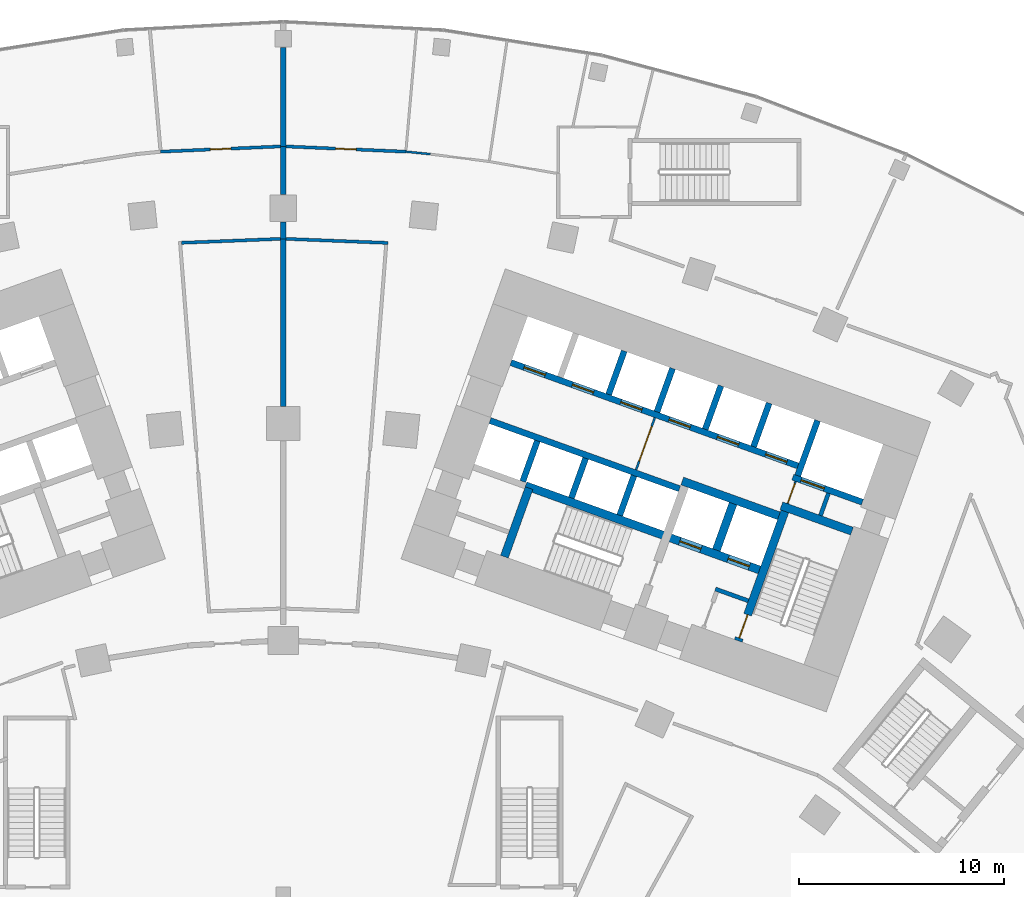
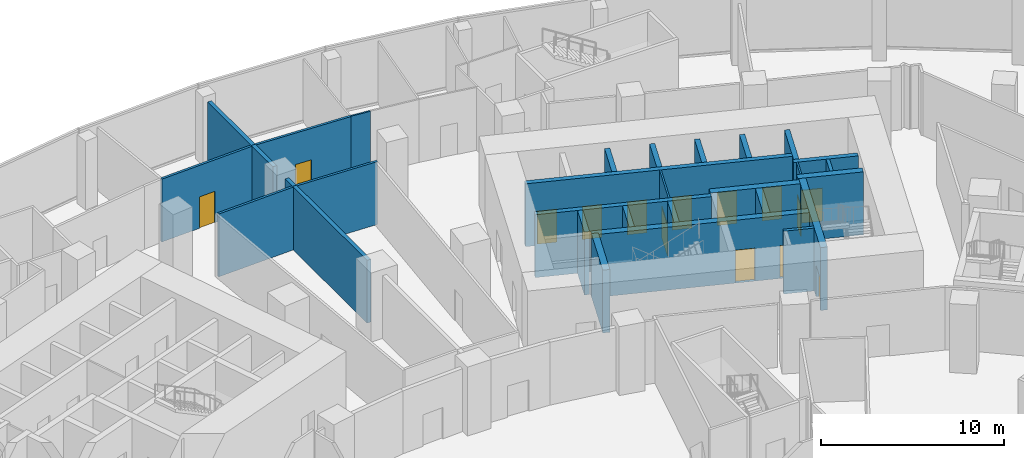
# One storey, part 27 of 39: 30 walls, 14 doors, 14 openings.
"""IFC4 building model written with IfcOpenShell, lengths in metres."""

from ifc_helpers import new_model, si_unit, direction, frame, frame_2d, origin, place, context, subcontext, project, spatial, rectangle, extrude, material, layer, layer_set, type_object, element, fill, save


model = new_model("IFC4")

# Units and contexts
model_context = context("Model", 3, precision=1e-05, world=origin(), true_north=direction((0.0, 1.0)))
body_context = subcontext(model_context, "Body", "Model", "MODEL_VIEW")
ifc_project = project(units=[si_unit("LENGTHUNIT", "METRE"), si_unit("AREAUNIT", "SQUARE_METRE"), si_unit("VOLUMEUNIT", "CUBIC_METRE"), si_unit("PLANEANGLEUNIT", "RADIAN"), si_unit("MASSUNIT", "GRAM", prefix="KILO")], contexts=[model_context])

# Site, building, storey
site_placement = place(None, origin())
site = spatial("IfcSite", under=ifc_project, at=site_placement, CompositionType="ELEMENT")
building_placement = place(site_placement, origin())
building = spatial("IfcBuilding", under=site, at=building_placement, Name="Stone Belt Terrace Tower", CompositionType="ELEMENT")
storey_placement = place(building_placement, frame((0.0, 0.0, 16.199951171875)))
storey = spatial("IfcBuildingStorey", under=building, at=storey_placement, Name="L03", CompositionType="ELEMENT", Elevation=16.199951171875)

# Walls
ifc_material_1 = material(Name="Concrete B30", Category="concrete")
ifc_layer_1 = layer(ifc_material_1, 0.25)
ifc_layer_set_1 = layer_set([ifc_layer_1], Name="Compartment wall 250")
wall_type_1 = type_object("IfcWallType", Name="Compartment wall 250", PredefinedType="SOLIDWALL", material=ifc_layer_set_1)
wall_1_placement = place(storey_placement, frame((0.0, 55.844970703125, 0.0), z_axis=(0.0, 0.0, 1.0), x_axis=(0.0, 1.0, 0.0)))
element("IfcWall", 1, at=wall_1_placement, inside=storey, type_object=wall_type_1, Name="Compartment wall L03 8", PredefinedType="SOLIDWALL", context=body_context, shape_type="SweptSolid", body=[
    extrude(rectangle(XDim=8.155029296875, YDim=0.25, at=frame_2d((4.07763671875, 0.0))), origin(), (0.0, 0.0, 1.0), 4.199951171875),
])
wall_2_placement = place(storey_placement, frame((0.0, 68.5, 0.0), z_axis=(0.0, 0.0, 1.0), x_axis=(0.0, 1.0, 0.0)))
element("IfcWall", 2, at=wall_2_placement, inside=storey, type_object=wall_type_1, Name="Compartment wall L03 10", PredefinedType="SOLIDWALL", context=body_context, shape_type="SweptSolid", body=[
    extrude(rectangle(XDim=4.807861328125, YDim=0.25, at=frame_2d((2.40380859375, 0.0))), origin(), (0.0, 0.0, 1.0), 4.199951171875),
])

# Wall, opening, door
ifc_material_2 = material(Name="Plasterboard partition")
ifc_layer_2 = layer(ifc_material_2, 0.10009765625)
ifc_layer_set_2 = layer_set([ifc_layer_2], Name="Core partition 100")
wall_type_2 = type_object("IfcWallType", Name="Core partition 100", PredefinedType="PARTITIONING", material=ifc_layer_set_2)
wall_3_placement = place(storey_placement, frame((24.555908203125, 51.10400390625, 0.0), z_axis=(0.0, 0.0, 1.0), x_axis=(0.338621735342, 0.94092258999, 0.0)))
wall_3 = element("IfcWall", 3, at=wall_3_placement, inside=storey, type_object=wall_type_2, Name="Core B wall", PredefinedType="PARTITIONING", context=body_context, shape_type="SweptSolid", body=[
    extrude(rectangle(XDim=1.14990234375, YDim=0.10009765625, at=frame_2d((0.574951171875, 0.0))), origin(), (0.0, 0.0, 1.0), 4.199951171875),
])
opening_1_placement = place(wall_3_placement, frame((0.050048828125, 0.0, 0.0)))
opening_1 = element("IfcOpeningElement", 4, at=opening_1_placement, cuts=wall_3, Name="Opening L03-C13", PredefinedType="OPENING", context=body_context, shape_type="SweptSolid", body=[
    extrude(rectangle(XDim=1.0, YDim=2.10009765625, at=frame_2d((0.5, 1.050048828125))), frame((0.0, 0.06005859375, 0.0), z_axis=(0.0, -1.0, 0.0), x_axis=(1.0, 0.0, 0.0)), (0.0, 0.0, 1.0), 0.1201171875),
])
ifc_material_3 = material(Name="Timber door leaf", Category="wood")
door_type_1 = type_object("IfcDoorType", Name="Core room door 1000", OperationType="SINGLE_SWING_LEFT", PredefinedType="DOOR", material=ifc_material_3)
door_1_placement = place(opening_1_placement, origin())
door_1 = element("IfcDoor", 5, at=door_1_placement, inside=storey, type_object=door_type_1, Name="Service lift lobby door core B", OperationType="SINGLE_SWING_LEFT", OverallHeight=2.10009765625, OverallWidth=1.0, PredefinedType="DOOR", context=body_context, shape_type="SweptSolid", body=[
    extrude(rectangle(XDim=1.0, YDim=2.10009765625, at=frame_2d((0.5, 1.050048828125))), frame((0.0, 0.02490234375, 0.0), z_axis=(0.0, -1.0, 0.0), x_axis=(1.0, 0.0, 0.0)), (0.0, 0.0, 1.0), 0.050048828125),
])
fill(opening_1, door_1)

wall_4_placement = place(storey_placement, frame((17.17724609375, 52.749755859375, 0.0), z_axis=(0.0, 0.0, 1.0), x_axis=(0.338546555931, 0.940949642365, 0.0)))
wall_4 = element("IfcWall", 6, at=wall_4_placement, inside=storey, type_object=wall_type_2, Name="Core B wall", PredefinedType="PARTITIONING", context=body_context, shape_type="SweptSolid", body=[
    extrude(rectangle(XDim=2.699951171875, YDim=0.10009765625, at=frame_2d((1.35009765625, 0.0))), origin(), (0.0, 0.0, 1.0), 4.199951171875),
])
opening_2_placement = place(wall_4_placement, frame((0.449951171875, 0.0, 0.0)))
opening_2 = element("IfcOpeningElement", 7, at=opening_2_placement, cuts=wall_4, Name="Opening L03-C14", PredefinedType="OPENING", context=body_context, shape_type="SweptSolid", body=[
    extrude(rectangle(XDim=1.800048828125, YDim=2.10009765625, at=frame_2d((0.89990234375, 1.050048828125))), frame((0.0, 0.06005859375, 0.0), z_axis=(0.0, -1.0, 0.0), x_axis=(1.0, 0.0, 0.0)), (0.0, 0.0, 1.0), 0.1201171875),
])
ifc_material_4 = material(Name="Glazed aluminium door leaf", Category="aluminium")
door_type_2 = type_object("IfcDoorType", Name="Lift lobby entrance door 1800", OperationType="DOUBLE_DOOR_SINGLE_SWING", PredefinedType="DOOR", material=ifc_material_4)
door_2_placement = place(opening_2_placement, origin())
door_2 = element("IfcDoor", 8, at=door_2_placement, inside=storey, type_object=door_type_2, Name="Lift lobby double door core B", OperationType="DOUBLE_DOOR_SINGLE_SWING", OverallHeight=2.10009765625, OverallWidth=1.800048828125, PredefinedType="DOOR", context=body_context, shape_type="SweptSolid", body=[
    extrude(rectangle(XDim=1.800048828125, YDim=2.10009765625, at=frame_2d((0.89990234375, 1.050048828125))), frame((0.0, 0.02490234375, 0.0), z_axis=(0.0, -1.0, 0.0), x_axis=(1.0, 0.0, 0.0)), (0.0, 0.0, 1.0), 0.050048828125),
])
fill(opening_2, door_2)

# Walls
ifc_material_5 = material(Name="Concrete B80", Category="concrete")
ifc_layer_3 = layer(ifc_material_5, 0.39990234375)
ifc_layer_set_3 = layer_set([ifc_layer_3], Name="Fire-fighting lift shaft wall 400")
wall_type_3 = type_object("IfcWallType", Name="Fire-fighting lift shaft wall 400", PredefinedType="SHEAR", material=ifc_layer_set_3)
wall_5_placement = place(storey_placement, frame((24.130615234375, 50.512939453125, 0.0), z_axis=(0.0, 0.0, 1.0), x_axis=(-0.94091168377, 0.338652038744, 0.0)))
element("IfcWall", 9, at=wall_5_placement, inside=storey, type_object=wall_type_3, Name="Core B wall", PredefinedType="SHEAR", context=body_context, shape_type="SweptSolid", body=[
    extrude(rectangle(XDim=5.000244140625, YDim=0.39990234375, at=frame_2d((2.5, 0.0))), origin(), (0.0, 0.0, 1.0), 4.199951171875),
])
wall_6_placement = place(storey_placement, frame((21.0859375, 48.845458984375, 0.0), z_axis=(0.0, 0.0, 1.0), x_axis=(0.338629416206, 0.940919825745, 0.0)))
element("IfcWall", 10, at=wall_6_placement, inside=storey, type_object=wall_type_3, Name="Core B wall", PredefinedType="SHEAR", context=body_context, shape_type="SweptSolid", body=[
    extrude(rectangle(XDim=2.400146484375, YDim=0.39990234375, at=frame_2d((1.2001953125, 0.0))), origin(), (0.0, 0.0, 1.0), 4.199951171875),
])
ifc_material_6 = material(Name="Fire-resistant glazing in steel frame", Category="steel")
ifc_layer_4 = layer(ifc_material_6, 0.25)
ifc_layer_set_4 = layer_set([ifc_layer_4], Name="Glazed compartment fire screen 250")
wall_type_4 = type_object("IfcWallType", Name="Glazed compartment fire screen 250", PredefinedType="PARTITIONING", material=ifc_layer_set_4)
wall_7_placement = place(storey_placement, frame((0.0, 64.0, 0.0), z_axis=(0.0, 0.0, 1.0), x_axis=(0.0, 1.0, 0.0)))
element("IfcWall", 11, at=wall_7_placement, inside=storey, type_object=wall_type_4, Name="Compartment fire screen L03 9", PredefinedType="PARTITIONING", context=body_context, shape_type="SweptSolid", body=[
    extrude(rectangle(XDim=0.81884765625, YDim=0.25, at=frame_2d((0.409423828125, 0.0))), origin(), (0.0, 0.0, 1.0), 4.199951171875),
])
wall_8_placement = place(storey_placement, frame((0.0, 66.158935546875, 0.0), z_axis=(0.0, 0.0, 1.0), x_axis=(0.0, 1.0, 0.0)))
element("IfcWall", 12, at=wall_8_placement, inside=storey, type_object=wall_type_4, Name="Compartment fire screen L03 9", PredefinedType="PARTITIONING", context=body_context, shape_type="SweptSolid", body=[
    extrude(rectangle(XDim=2.341064453125, YDim=0.25, at=frame_2d((1.17041015625, 0.0))), origin(), (0.0, 0.0, 1.0), 4.199951171875),
])

# Wall, opening, door
ifc_layer_5 = layer(ifc_material_5, 0.300048828125)
ifc_layer_set_5 = layer_set([ifc_layer_5], Name="Lift shaft wall 300")
wall_type_5 = type_object("IfcWallType", Name="Lift shaft wall 300", PredefinedType="SHEAR", material=ifc_layer_set_5)
wall_9_placement = place(storey_placement, frame((28.195068359375, 51.17578125, 0.0), z_axis=(0.0, 0.0, 1.0), x_axis=(-0.940901243567, 0.338681044427, 0.0)))
wall_9 = element("IfcWall", 13, at=wall_9_placement, inside=storey, type_object=wall_type_5, Name="Core B wall", PredefinedType="SHEAR", context=body_context, shape_type="SweptSolid", body=[
    extrude(rectangle(XDim=3.599853515625, YDim=0.300048828125, at=frame_2d((1.7998046875, 0.0))), origin(), (0.0, 0.0, 1.0), 4.199951171875),
])
opening_3_placement = place(wall_9_placement, frame((1.969970703125, 0.0, 0.0)))
opening_3 = element("IfcOpeningElement", 14, at=opening_3_placement, cuts=wall_9, Name="Opening L03-LD18", PredefinedType="OPENING", context=body_context, shape_type="SweptSolid", body=[
    extrude(rectangle(XDim=1.199951171875, YDim=2.199951171875, at=frame_2d((0.60009765625, 1.10009765625))), frame((0.0, 0.159912109375, 0.0), z_axis=(0.0, -1.0, 0.0), x_axis=(1.0, 0.0, 0.0)), (0.0, 0.0, 1.0), 0.320068359375),
])
ifc_material_7 = material(Name="Stainless steel door leaf", Category="steel")
door_type_3 = type_object("IfcDoorType", Name="Landing door 1200", OperationType="SLIDING_TO_LEFT", PredefinedType="DOOR", material=ifc_material_7)
door_3_placement = place(opening_3_placement, origin())
door_3 = element("IfcDoor", 15, at=door_3_placement, inside=storey, type_object=door_type_3, Name="Landing door SV1 core B", OperationType="SLIDING_TO_LEFT", OverallHeight=2.199951171875, OverallWidth=1.199951171875, PredefinedType="DOOR", context=body_context, shape_type="SweptSolid", body=[
    extrude(rectangle(XDim=1.199951171875, YDim=2.199951171875, at=frame_2d((0.60009765625, 1.10009765625))), frame((0.0, 0.02490234375, 0.0), z_axis=(0.0, -1.0, 0.0), x_axis=(1.0, 0.0, 0.0)), (0.0, 0.0, 1.0), 0.050048828125),
])
fill(opening_3, door_3)

# Wall
wall_10_placement = place(storey_placement, frame((25.046875, 52.46826171875, 0.0), z_axis=(0.0, 0.0, 1.0), x_axis=(0.338549588058, 0.940948551423, 0.0)))
element("IfcWall", 16, at=wall_10_placement, inside=storey, type_object=wall_type_5, Name="Core B wall", PredefinedType="SHEAR", context=body_context, shape_type="SweptSolid", body=[
    extrude(rectangle(XDim=2.849853515625, YDim=0.300048828125, at=frame_2d((1.4248046875, 0.0))), origin(), (0.0, 0.0, 1.0), 4.199951171875),
])

# Wall, openings, doors
wall_11_placement = place(storey_placement, frame((25.05810546875, 52.9423828125, 0.0), z_axis=(0.0, 0.0, 1.0), x_axis=(-0.940918215764, 0.338633889685, 0.0)))
wall_11 = element("IfcWall", 17, at=wall_11_placement, inside=storey, type_object=wall_type_5, Name="Core B wall", PredefinedType="SHEAR", context=body_context, shape_type="SweptSolid", body=[
    extrude(rectangle(XDim=14.850341796875, YDim=0.300048828125, at=frame_2d((7.42529296875, 0.0))), origin(), (0.0, 0.0, 1.0), 4.199951171875),
])
opening_4_placement = place(wall_11_placement, frame((0.570068359375, 0.0, 0.0)))
opening_4 = element("IfcOpeningElement", 18, at=opening_4_placement, cuts=wall_11, Name="Opening L03-LD10", PredefinedType="OPENING", context=body_context, shape_type="SweptSolid", body=[
    extrude(rectangle(XDim=1.10009765625, YDim=2.199951171875, at=frame_2d((0.550048828125, 1.10009765625))), frame((0.0, 0.159912109375, 0.0), z_axis=(0.0, -1.0, 0.0), x_axis=(1.0, 0.0, 0.0)), (0.0, 0.0, 1.0), 0.320068359375),
])
opening_5_placement = place(wall_11_placement, frame((3.070068359375, 0.0, 0.0)))
opening_5 = element("IfcOpeningElement", 19, at=opening_5_placement, cuts=wall_11, Name="Opening L03-LD11", PredefinedType="OPENING", context=body_context, shape_type="SweptSolid", body=[
    extrude(rectangle(XDim=1.10009765625, YDim=2.199951171875, at=frame_2d((0.550048828125, 1.10009765625))), frame((0.0, 0.159912109375, 0.0), z_axis=(0.0, -1.0, 0.0), x_axis=(1.0, 0.0, 0.0)), (0.0, 0.0, 1.0), 0.320068359375),
])
opening_6_placement = place(wall_11_placement, frame((5.570068359375, 0.0, 0.0)))
opening_6 = element("IfcOpeningElement", 20, at=opening_6_placement, cuts=wall_11, Name="Opening L03-LD12", PredefinedType="OPENING", context=body_context, shape_type="SweptSolid", body=[
    extrude(rectangle(XDim=1.10009765625, YDim=2.199951171875, at=frame_2d((0.550048828125, 1.10009765625))), frame((0.0, 0.159912109375, 0.0), z_axis=(0.0, -1.0, 0.0), x_axis=(1.0, 0.0, 0.0)), (0.0, 0.0, 1.0), 0.320068359375),
])
opening_7_placement = place(wall_11_placement, frame((8.070068359375, 0.0, 0.0)))
opening_7 = element("IfcOpeningElement", 21, at=opening_7_placement, cuts=wall_11, Name="Opening L03-LD13", PredefinedType="OPENING", context=body_context, shape_type="SweptSolid", body=[
    extrude(rectangle(XDim=1.10009765625, YDim=2.199951171875, at=frame_2d((0.550048828125, 1.10009765625))), frame((0.0, 0.159912109375, 0.0), z_axis=(0.0, -1.0, 0.0), x_axis=(1.0, 0.0, 0.0)), (0.0, 0.0, 1.0), 0.320068359375),
])
opening_8_placement = place(wall_11_placement, frame((10.570068359375, 0.0, 0.0)))
opening_8 = element("IfcOpeningElement", 22, at=opening_8_placement, cuts=wall_11, Name="Opening L03-LD14", PredefinedType="OPENING", context=body_context, shape_type="SweptSolid", body=[
    extrude(rectangle(XDim=1.10009765625, YDim=2.199951171875, at=frame_2d((0.550048828125, 1.10009765625))), frame((0.0, 0.159912109375, 0.0), z_axis=(0.0, -1.0, 0.0), x_axis=(1.0, 0.0, 0.0)), (0.0, 0.0, 1.0), 0.320068359375),
])
opening_9_placement = place(wall_11_placement, frame((13.070068359375, 0.0, 0.0)))
opening_9 = element("IfcOpeningElement", 23, at=opening_9_placement, cuts=wall_11, Name="Opening L03-LD15", PredefinedType="OPENING", context=body_context, shape_type="SweptSolid", body=[
    extrude(rectangle(XDim=1.10009765625, YDim=2.199951171875, at=frame_2d((0.550048828125, 1.10009765625))), frame((0.0, 0.159912109375, 0.0), z_axis=(0.0, -1.0, 0.0), x_axis=(1.0, 0.0, 0.0)), (0.0, 0.0, 1.0), 0.320068359375),
])
door_type_4 = type_object("IfcDoorType", Name="Landing door 1100", OperationType="SLIDING_TO_LEFT", PredefinedType="DOOR", material=ifc_material_7)
door_4_placement = place(opening_4_placement, origin())
door_4 = element("IfcDoor", 24, at=door_4_placement, inside=storey, type_object=door_type_4, Name="Landing door LR1 core B", OperationType="SLIDING_TO_LEFT", OverallHeight=2.199951171875, OverallWidth=1.10009765625, PredefinedType="DOOR", context=body_context, shape_type="SweptSolid", body=[
    extrude(rectangle(XDim=1.10009765625, YDim=2.199951171875, at=frame_2d((0.550048828125, 1.10009765625))), frame((0.0, 0.02490234375, 0.0), z_axis=(0.0, -1.0, 0.0), x_axis=(1.0, 0.0, 0.0)), (0.0, 0.0, 1.0), 0.050048828125),
])
fill(opening_4, door_4)
door_5_placement = place(opening_5_placement, origin())
door_5 = element("IfcDoor", 25, at=door_5_placement, inside=storey, type_object=door_type_4, Name="Landing door LR2 core B", OperationType="SLIDING_TO_LEFT", OverallHeight=2.199951171875, OverallWidth=1.10009765625, PredefinedType="DOOR", context=body_context, shape_type="SweptSolid", body=[
    extrude(rectangle(XDim=1.10009765625, YDim=2.199951171875, at=frame_2d((0.550048828125, 1.10009765625))), frame((0.0, 0.02490234375, 0.0), z_axis=(0.0, -1.0, 0.0), x_axis=(1.0, 0.0, 0.0)), (0.0, 0.0, 1.0), 0.050048828125),
])
fill(opening_5, door_5)
door_6_placement = place(opening_6_placement, origin())
door_6 = element("IfcDoor", 26, at=door_6_placement, inside=storey, type_object=door_type_4, Name="Landing door LR3 core B", OperationType="SLIDING_TO_LEFT", OverallHeight=2.199951171875, OverallWidth=1.10009765625, PredefinedType="DOOR", context=body_context, shape_type="SweptSolid", body=[
    extrude(rectangle(XDim=1.10009765625, YDim=2.199951171875, at=frame_2d((0.550048828125, 1.10009765625))), frame((0.0, 0.02490234375, 0.0), z_axis=(0.0, -1.0, 0.0), x_axis=(1.0, 0.0, 0.0)), (0.0, 0.0, 1.0), 0.050048828125),
])
fill(opening_6, door_6)
door_7_placement = place(opening_7_placement, origin())
door_7 = element("IfcDoor", 27, at=door_7_placement, inside=storey, type_object=door_type_4, Name="Landing door LR4 core B", OperationType="SLIDING_TO_LEFT", OverallHeight=2.199951171875, OverallWidth=1.10009765625, PredefinedType="DOOR", context=body_context, shape_type="SweptSolid", body=[
    extrude(rectangle(XDim=1.10009765625, YDim=2.199951171875, at=frame_2d((0.550048828125, 1.10009765625))), frame((0.0, 0.02490234375, 0.0), z_axis=(0.0, -1.0, 0.0), x_axis=(1.0, 0.0, 0.0)), (0.0, 0.0, 1.0), 0.050048828125),
])
fill(opening_7, door_7)
door_8_placement = place(opening_8_placement, origin())
door_8 = element("IfcDoor", 28, at=door_8_placement, inside=storey, type_object=door_type_4, Name="Landing door LR5 core B", OperationType="SLIDING_TO_LEFT", OverallHeight=2.199951171875, OverallWidth=1.10009765625, PredefinedType="DOOR", context=body_context, shape_type="SweptSolid", body=[
    extrude(rectangle(XDim=1.10009765625, YDim=2.199951171875, at=frame_2d((0.550048828125, 1.10009765625))), frame((0.0, 0.02490234375, 0.0), z_axis=(0.0, -1.0, 0.0), x_axis=(1.0, 0.0, 0.0)), (0.0, 0.0, 1.0), 0.050048828125),
])
fill(opening_8, door_8)
door_9_placement = place(opening_9_placement, origin())
door_9 = element("IfcDoor", 29, at=door_9_placement, inside=storey, type_object=door_type_4, Name="Landing door LR6 core B", OperationType="SLIDING_TO_LEFT", OverallHeight=2.199951171875, OverallWidth=1.10009765625, PredefinedType="DOOR", context=body_context, shape_type="SweptSolid", body=[
    extrude(rectangle(XDim=1.10009765625, YDim=2.199951171875, at=frame_2d((0.550048828125, 1.10009765625))), frame((0.0, 0.02490234375, 0.0), z_axis=(0.0, -1.0, 0.0), x_axis=(1.0, 0.0, 0.0)), (0.0, 0.0, 1.0), 0.050048828125),
])
fill(opening_9, door_9)

# Walls
wall_12_placement = place(storey_placement, frame((22.897705078125, 53.87939453125, 0.0), z_axis=(0.0, 0.0, 1.0), x_axis=(0.338535034312, 0.940953787677, 0.0)))
element("IfcWall", 30, at=wall_12_placement, inside=storey, type_object=wall_type_5, Name="Core B wall", PredefinedType="SHEAR", context=body_context, shape_type="SweptSolid", body=[
    extrude(rectangle(XDim=2.25, YDim=0.300048828125, at=frame_2d((1.125, 0.0))), origin(), (0.0, 0.0, 1.0), 4.199951171875),
])
wall_13_placement = place(storey_placement, frame((19.29052734375, 51.829833984375, 0.0), z_axis=(0.0, 0.0, 1.0), x_axis=(-0.940925833398, 0.338612722803, 0.0)))
element("IfcWall", 31, at=wall_13_placement, inside=storey, type_object=wall_type_5, Name="Core B wall", PredefinedType="SHEAR", context=body_context, shape_type="SweptSolid", body=[
    extrude(rectangle(XDim=9.7998046875, YDim=0.300048828125, at=frame_2d((4.89990234375, 0.0))), origin(), (0.0, 0.0, 1.0), 4.199951171875),
])
wall_14_placement = place(storey_placement, frame((20.54541015625, 54.72607421875, 0.0), z_axis=(0.0, 0.0, 1.0), x_axis=(0.338569601369, 0.940941350472, 0.0)))
element("IfcWall", 32, at=wall_14_placement, inside=storey, type_object=wall_type_5, Name="Core B wall", PredefinedType="SHEAR", context=body_context, shape_type="SweptSolid", body=[
    extrude(rectangle(XDim=2.249755859375, YDim=0.300048828125, at=frame_2d((1.125, 0.0))), origin(), (0.0, 0.0, 1.0), 4.199951171875),
])
wall_15_placement = place(storey_placement, frame((16.38134765625, 50.53857421875, 0.0), z_axis=(0.0, 0.0, 1.0), x_axis=(0.338681515556, 0.940901073982, 0.0)))
element("IfcWall", 33, at=wall_15_placement, inside=storey, type_object=wall_type_5, Name="Core B wall", PredefinedType="SHEAR", context=body_context, shape_type="SweptSolid", body=[
    extrude(rectangle(XDim=2.050048828125, YDim=0.300048828125, at=frame_2d((1.02490234375, 0.0))), origin(), (0.0, 0.0, 1.0), 4.199951171875),
])
wall_16_placement = place(storey_placement, frame((18.193115234375, 55.572509765625, 0.0), z_axis=(0.0, 0.0, 1.0), x_axis=(0.338535034312, 0.940953787677, 0.0)))
element("IfcWall", 34, at=wall_16_placement, inside=storey, type_object=wall_type_5, Name="Core B wall", PredefinedType="SHEAR", context=body_context, shape_type="SweptSolid", body=[
    extrude(rectangle(XDim=2.25, YDim=0.300048828125, at=frame_2d((1.125, 0.0))), origin(), (0.0, 0.0, 1.0), 4.199951171875),
])
wall_17_placement = place(storey_placement, frame((14.029052734375, 51.38525390625, 0.0), z_axis=(0.0, 0.0, 1.0), x_axis=(0.338681515556, 0.940901073982, 0.0)))
element("IfcWall", 35, at=wall_17_placement, inside=storey, type_object=wall_type_5, Name="Core B wall", PredefinedType="SHEAR", context=body_context, shape_type="SweptSolid", body=[
    extrude(rectangle(XDim=2.050048828125, YDim=0.300048828125, at=frame_2d((1.02490234375, 0.0))), origin(), (0.0, 0.0, 1.0), 4.199951171875),
])
wall_18_placement = place(storey_placement, frame((15.8408203125, 56.419189453125, 0.0), z_axis=(0.0, 0.0, 1.0), x_axis=(0.338569601369, 0.940941350472, 0.0)))
element("IfcWall", 36, at=wall_18_placement, inside=storey, type_object=wall_type_5, Name="Core B wall", PredefinedType="SHEAR", context=body_context, shape_type="SweptSolid", body=[
    extrude(rectangle(XDim=2.249755859375, YDim=0.300048828125, at=frame_2d((1.125, 0.0))), origin(), (0.0, 0.0, 1.0), 4.199951171875),
])
wall_19_placement = place(storey_placement, frame((11.659912109375, 52.184814453125, 0.0), z_axis=(0.0, 0.0, 1.0), x_axis=(0.338670064856, 0.940905195634, 0.0)))
element("IfcWall", 37, at=wall_19_placement, inside=storey, type_object=wall_type_5, Name="Core B wall", PredefinedType="SHEAR", context=body_context, shape_type="SweptSolid", body=[
    extrude(rectangle(XDim=2.099853515625, YDim=0.300048828125, at=frame_2d((1.0498046875, 0.0))), origin(), (0.0, 0.0, 1.0), 4.199951171875),
])

# Wall, opening, door
ifc_material_8 = material(Name="Gypsum board on steel stud partition", Category="steel")
ifc_layer_6 = layer(ifc_material_8, 0.14990234375)
ifc_layer_set_6 = layer_set([ifc_layer_6], Name="Podium partition 150")
wall_type_6 = type_object("IfcWallType", Name="Podium partition 150", PredefinedType="PARTITIONING", material=ifc_layer_set_6)
wall_20_placement = place(storey_placement, frame((-5.968017578125, 68.239990234375, 0.0), z_axis=(0.0, 0.0, 1.0), x_axis=(0.999051742551, 0.043538669096, 0.0)))
wall_20 = element("IfcWall", 38, at=wall_20_placement, inside=storey, type_object=wall_type_6, Name="Podium partition 150", PredefinedType="PARTITIONING", context=body_context, shape_type="SweptSolid", body=[
    extrude(rectangle(XDim=5.8486328125, YDim=0.14990234375, at=frame_2d((2.92431640625, 0.0))), origin(), (0.0, 0.0, 1.0), 4.199951171875),
])
opening_10_placement = place(wall_20_placement, frame((2.42431640625, 0.0, 0.0)))
opening_10 = element("IfcOpeningElement", 39, at=opening_10_placement, cuts=wall_20, Name="Opening L03-P12", PredefinedType="OPENING", context=body_context, shape_type="SweptSolid", body=[
    extrude(rectangle(XDim=1.0, YDim=2.10009765625, at=frame_2d((0.5, 1.050048828125))), frame((0.0, 0.0849609375, 0.0), z_axis=(0.0, -1.0, 0.0), x_axis=(1.0, 0.0, 0.0)), (0.0, 0.0, 1.0), 0.169921875),
])
ifc_material_9 = material(Name="Steel framed door leaf", Category="steel")
door_type_5 = type_object("IfcDoorType", Name="Podium door single 1000", OperationType="SINGLE_SWING_LEFT", PredefinedType="DOOR", material=ifc_material_9)
door_10_placement = place(opening_10_placement, origin())
door_10 = element("IfcDoor", 40, at=door_10_placement, inside=storey, type_object=door_type_5, Name="Podium door single 1000", OperationType="SINGLE_SWING_RIGHT", OverallHeight=2.10009765625, OverallWidth=1.0, PredefinedType="DOOR", context=body_context, shape_type="SweptSolid", body=[
    extrude(rectangle(XDim=1.0, YDim=2.10009765625, at=frame_2d((0.5, 1.050048828125))), frame((0.0, 0.02490234375, 0.0), z_axis=(0.0, -1.0, 0.0), x_axis=(1.0, 0.0, 0.0)), (0.0, 0.0, 1.0), 0.050048828125),
])
fill(opening_10, door_10)

# Walls
wall_21_placement = place(storey_placement, frame((-4.945068359375, 63.802978515625, 0.0), z_axis=(0.0, 0.0, 1.0), x_axis=(0.999206446914, 0.039830596856, 0.0)))
element("IfcWall", 41, at=wall_21_placement, inside=storey, type_object=wall_type_6, Name="Podium partition 150", PredefinedType="PARTITIONING", context=body_context, shape_type="SweptSolid", body=[
    extrude(rectangle(XDim=4.823974609375, YDim=0.14990234375, at=frame_2d((2.412109375, 0.0))), origin(), (0.0, 0.0, 1.0), 4.199951171875),
])
wall_22_placement = place(storey_placement, frame((0.125, 63.9951171875, 0.0), z_axis=(0.0, 0.0, 1.0), x_axis=(0.999207375355, -0.039807298787, 0.0)))
element("IfcWall", 42, at=wall_22_placement, inside=storey, type_object=wall_type_6, Name="Podium partition 150", PredefinedType="PARTITIONING", context=body_context, shape_type="SweptSolid", body=[
    extrude(rectangle(XDim=4.973876953125, YDim=0.14990234375, at=frame_2d((2.48681640625, 0.0))), origin(), (0.0, 0.0, 1.0), 4.199951171875),
])

# Wall, opening, door
wall_23_placement = place(storey_placement, frame((0.125, 68.49462890625, 0.0), z_axis=(0.0, 0.0, 1.0), x_axis=(0.999051742551, -0.043538669096, 0.0)))
wall_23 = element("IfcWall", 43, at=wall_23_placement, inside=storey, type_object=wall_type_6, Name="Podium partition 150", PredefinedType="PARTITIONING", context=body_context, shape_type="SweptSolid", body=[
    extrude(rectangle(XDim=5.8486328125, YDim=0.14990234375, at=frame_2d((2.92431640625, 0.0))), origin(), (0.0, 0.0, 1.0), 4.199951171875),
])
opening_11_placement = place(wall_23_placement, frame((2.42431640625, 0.0, 0.0)))
opening_11 = element("IfcOpeningElement", 44, at=opening_11_placement, cuts=wall_23, Name="Opening L03-P13", PredefinedType="OPENING", context=body_context, shape_type="SweptSolid", body=[
    extrude(rectangle(XDim=1.0, YDim=2.10009765625, at=frame_2d((0.5, 1.050048828125))), frame((0.0, 0.0849609375, 0.0), z_axis=(0.0, -1.0, 0.0), x_axis=(1.0, 0.0, 0.0)), (0.0, 0.0, 1.0), 0.169921875),
])
door_11_placement = place(opening_11_placement, origin())
door_11 = element("IfcDoor", 45, at=door_11_placement, inside=storey, type_object=door_type_5, Name="Podium door single 1000", OperationType="SINGLE_SWING_LEFT", OverallHeight=2.10009765625, OverallWidth=1.0, PredefinedType="DOOR", context=body_context, shape_type="SweptSolid", body=[
    extrude(rectangle(XDim=1.0, YDim=2.10009765625, at=frame_2d((0.5, 1.050048828125))), frame((0.0, 0.02490234375, 0.0), z_axis=(0.0, -1.0, 0.0), x_axis=(1.0, 0.0, 0.0)), (0.0, 0.0, 1.0), 0.050048828125),
])
fill(opening_11, door_11)

# Walls
ifc_material_10 = material(Name="Moisture-resistant board on steel stud partition", Category="steel")
ifc_layer_7 = layer(ifc_material_10, 0.10009765625)
ifc_layer_set_7 = layer_set([ifc_layer_7], Name="Podium toilet partition 100")
wall_type_7 = type_object("IfcWallType", Name="Podium toilet partition 100", PredefinedType="PARTITIONING", material=ifc_layer_set_7)
wall_24_placement = place(storey_placement, frame((5.971435546875, 68.239990234375, 0.0), z_axis=(0.0, 0.0, 1.0), x_axis=(0.994947715763, -0.100394436589, 0.0)))
element("IfcWall", 46, at=wall_24_placement, inside=storey, type_object=wall_type_7, Name="Podium toilet partition 100", PredefinedType="PARTITIONING", context=body_context, shape_type="SweptSolid", body=[
    extrude(rectangle(XDim=1.194091796875, YDim=0.10009765625, at=frame_2d((0.59716796875, 0.0))), origin(), (0.0, 0.0, 1.0), 4.199951171875),
])
ifc_material_11 = material(Name="Concrete masonry block", Category="masonry")
ifc_layer_8 = layer(ifc_material_11, 0.199951171875)
ifc_layer_set_8 = layer_set([ifc_layer_8], Name="Rated lobby wall 200")
wall_type_8 = type_object("IfcWallType", Name="Rated lobby wall 200", PredefinedType="PARTITIONING", material=ifc_layer_set_8)
wall_25_placement = place(storey_placement, frame((26.1552734375, 50.5283203125, 0.0), z_axis=(0.0, 0.0, 1.0), x_axis=(0.338621735342, 0.94092258999, 0.0)))
element("IfcWall", 47, at=wall_25_placement, inside=storey, type_object=wall_type_8, Name="Core B wall", PredefinedType="PARTITIONING", context=body_context, shape_type="SweptSolid", body=[
    extrude(rectangle(XDim=1.14990234375, YDim=0.199951171875, at=frame_2d((0.574951171875, 0.0))), origin(), (0.0, 0.0, 1.0), 4.199951171875),
])
wall_26_placement = place(storey_placement, frame((22.640625, 46.373046875, 0.0), z_axis=(0.0, 0.0, 1.0), x_axis=(-0.940966110313, 0.338500781747, 0.0)))
element("IfcWall", 48, at=wall_26_placement, inside=storey, type_object=wall_type_8, Name="Core B wall", PredefinedType="PARTITIONING", context=body_context, shape_type="SweptSolid", body=[
    extrude(rectangle(XDim=1.699951171875, YDim=0.199951171875, at=frame_2d((0.85009765625, 0.0))), origin(), (0.0, 0.0, 1.0), 4.199951171875),
])
ifc_layer_9 = layer(ifc_material_5, 0.39990234375)
ifc_layer_set_9 = layer_set([ifc_layer_9], Name="Stair enclosure wall 400")
wall_type_9 = type_object("IfcWallType", Name="Stair enclosure wall 400", PredefinedType="SHEAR", material=ifc_layer_set_9)
wall_27_placement = place(storey_placement, frame((27.687255859375, 49.764404296875, 0.0), z_axis=(0.0, 0.0, 1.0), x_axis=(-0.940918954884, 0.338631835981, 0.0)))
element("IfcWall", 49, at=wall_27_placement, inside=storey, type_object=wall_type_9, Name="Core B wall", PredefinedType="SHEAR", context=body_context, shape_type="SweptSolid", body=[
    extrude(rectangle(XDim=3.650146484375, YDim=0.39990234375, at=frame_2d((1.8251953125, 0.0))), origin(), (0.0, 0.0, 1.0), 4.199951171875),
])

# Wall, opening, door
wall_28_placement = place(storey_placement, frame((22.151611328125, 44.42333984375, 0.0), z_axis=(0.0, 0.0, 1.0), x_axis=(0.338625272931, 0.940921316866, 0.0)))
wall_28 = element("IfcWall", 50, at=wall_28_placement, inside=storey, type_object=wall_type_9, Name="Core B wall", PredefinedType="SHEAR", context=body_context, shape_type="SweptSolid", body=[
    extrude(rectangle(XDim=6.699951171875, YDim=0.39990234375, at=frame_2d((3.35009765625, 0.0))), origin(), (0.0, 0.0, 1.0), 4.199951171875),
])
opening_12_placement = place(wall_28_placement, frame((0.14990234375, 0.0, 0.0)))
opening_12 = element("IfcOpeningElement", 51, at=opening_12_placement, cuts=wall_28, Name="Opening L03-C16", PredefinedType="OPENING", context=body_context, shape_type="SweptSolid", body=[
    extrude(rectangle(XDim=1.199951171875, YDim=2.10009765625, at=frame_2d((0.60009765625, 1.050048828125))), frame((0.0, 0.2099609375, 0.0), z_axis=(0.0, -1.0, 0.0), x_axis=(1.0, 0.0, 0.0)), (0.0, 0.0, 1.0), 0.419921875),
])
ifc_material_12 = material(Name="Steel door leaf", Category="steel")
door_type_6 = type_object("IfcDoorType", Name="Stair door 1200", OperationType="SINGLE_SWING_LEFT", PredefinedType="DOOR", material=ifc_material_12)
door_12_placement = place(opening_12_placement, origin())
door_12 = element("IfcDoor", 52, at=door_12_placement, inside=storey, type_object=door_type_6, Name="Stair 1 door core B", OperationType="SINGLE_SWING_LEFT", OverallHeight=2.10009765625, OverallWidth=1.199951171875, PredefinedType="DOOR", context=body_context, shape_type="SweptSolid", body=[
    extrude(rectangle(XDim=1.199951171875, YDim=2.10009765625, at=frame_2d((0.60009765625, 1.050048828125))), frame((0.0, 0.02490234375, 0.0), z_axis=(0.0, -1.0, 0.0), x_axis=(1.0, 0.0, 0.0)), (0.0, 0.0, 1.0), 0.050048828125),
])
fill(opening_12, door_12)

# Wall, openings, doors
wall_29_placement = place(storey_placement, frame((23.182373046875, 47.87841796875, 0.0), z_axis=(0.0, 0.0, 1.0), x_axis=(-0.940921101762, 0.338625870628, 0.0)))
wall_29 = element("IfcWall", 53, at=wall_29_placement, inside=storey, type_object=wall_type_9, Name="Core B wall", PredefinedType="SHEAR", context=body_context, shape_type="SweptSolid", body=[
    extrude(rectangle(XDim=12.10009765625, YDim=0.39990234375, at=frame_2d((6.050048828125, 0.0))), origin(), (0.0, 0.0, 1.0), 4.199951171875),
])
opening_13_placement = place(wall_29_placement, frame((0.52001953125, 0.0, 0.0)))
opening_13 = element("IfcOpeningElement", 54, at=opening_13_placement, cuts=wall_29, Name="Opening L03-LD16", PredefinedType="OPENING", context=body_context, shape_type="SweptSolid", body=[
    extrude(rectangle(XDim=1.10009765625, YDim=2.199951171875, at=frame_2d((0.550048828125, 1.10009765625))), frame((0.0, 0.2099609375, 0.0), z_axis=(0.0, -1.0, 0.0), x_axis=(1.0, 0.0, 0.0)), (0.0, 0.0, 1.0), 0.419921875),
])
opening_14_placement = place(wall_29_placement, frame((3.02001953125, 0.0, 0.0)))
opening_14 = element("IfcOpeningElement", 55, at=opening_14_placement, cuts=wall_29, Name="Opening L03-LD17", PredefinedType="OPENING", context=body_context, shape_type="SweptSolid", body=[
    extrude(rectangle(XDim=1.10009765625, YDim=2.199951171875, at=frame_2d((0.550048828125, 1.10009765625))), frame((0.0, 0.2099609375, 0.0), z_axis=(0.0, -1.0, 0.0), x_axis=(1.0, 0.0, 0.0)), (0.0, 0.0, 1.0), 0.419921875),
])
door_13_placement = place(opening_13_placement, origin())
door_13 = element("IfcDoor", 56, at=door_13_placement, inside=storey, type_object=door_type_4, Name="Landing door FF1 core B", OperationType="SLIDING_TO_LEFT", OverallHeight=2.199951171875, OverallWidth=1.10009765625, PredefinedType="DOOR", context=body_context, shape_type="SweptSolid", body=[
    extrude(rectangle(XDim=1.10009765625, YDim=2.199951171875, at=frame_2d((0.550048828125, 1.10009765625))), frame((0.0, 0.02490234375, 0.0), z_axis=(0.0, -1.0, 0.0), x_axis=(1.0, 0.0, 0.0)), (0.0, 0.0, 1.0), 0.050048828125),
])
fill(opening_13, door_13)
door_14_placement = place(opening_14_placement, origin())
door_14 = element("IfcDoor", 57, at=door_14_placement, inside=storey, type_object=door_type_4, Name="Landing door FF2 core B", OperationType="SLIDING_TO_LEFT", OverallHeight=2.199951171875, OverallWidth=1.10009765625, PredefinedType="DOOR", context=body_context, shape_type="SweptSolid", body=[
    extrude(rectangle(XDim=1.10009765625, YDim=2.199951171875, at=frame_2d((0.550048828125, 1.10009765625))), frame((0.0, 0.02490234375, 0.0), z_axis=(0.0, -1.0, 0.0), x_axis=(1.0, 0.0, 0.0)), (0.0, 0.0, 1.0), 0.050048828125),
])
fill(opening_14, door_14)

# Wall
wall_30_placement = place(storey_placement, frame((10.766357421875, 48.520751953125, 0.0), z_axis=(0.0, 0.0, 1.0), x_axis=(0.338626928157, 0.94092072117, 0.0)))
element("IfcWall", 58, at=wall_30_placement, inside=storey, type_object=wall_type_9, Name="Core B wall", PredefinedType="SHEAR", context=body_context, shape_type="SweptSolid", body=[
    extrude(rectangle(XDim=3.550048828125, YDim=0.39990234375, at=frame_2d((1.77490234375, 0.0))), origin(), (0.0, 0.0, 1.0), 4.199951171875),
])

save(model, "model.ifc")
